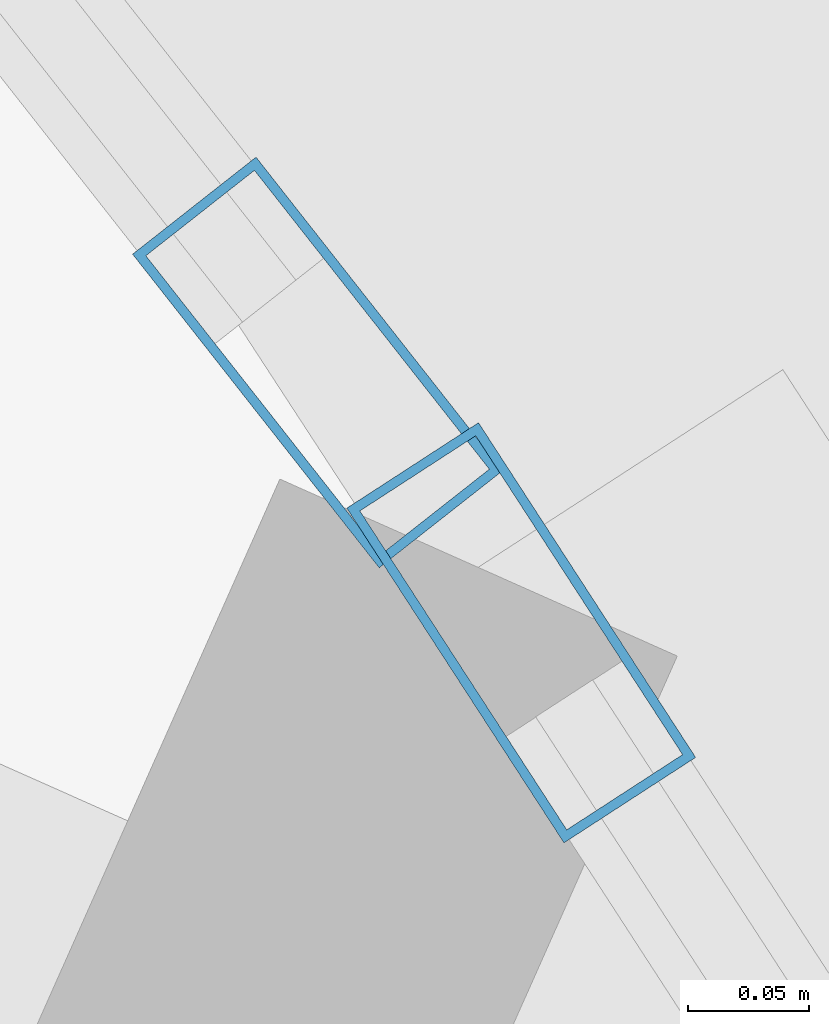
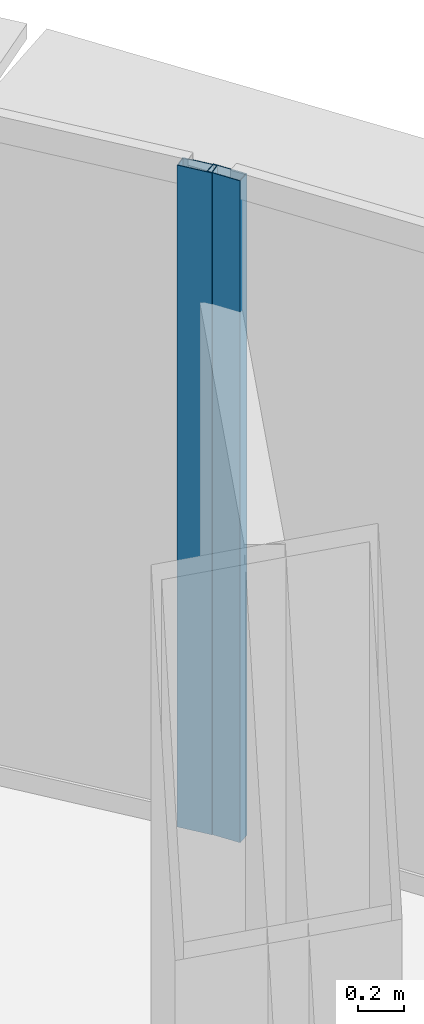
# One storey, part 18 of 37: 2 members, 2 elements without a shape of their own.
"""IFC4 building model written with IfcOpenShell, lengths in metres."""

from ifc_helpers import new_model, si_unit, direction, frame, origin, origin_2d, place, context, subcontext, project, spatial, hollow_rectangle, extrude, source, transform, mapped, material, layer, layer_set, material_profile, profile_set, type_object, element, aggregate, save


model = new_model("IFC4")

# Units and contexts
model_context = context("Model", 3, precision=1e-05, world=origin(), true_north=direction((0.0, 1.0)))
body_context = subcontext(model_context, "Body", "Model", "MODEL_VIEW")
ifc_project = project(units=[si_unit("LENGTHUNIT", "METRE"), si_unit("AREAUNIT", "SQUARE_METRE"), si_unit("VOLUMEUNIT", "CUBIC_METRE"), si_unit("PLANEANGLEUNIT", "RADIAN"), si_unit("MASSUNIT", "GRAM", prefix="KILO"), si_unit("THERMODYNAMICTEMPERATUREUNIT", "KELVIN"), si_unit("POWERUNIT", "WATT")], contexts=[model_context])

# Site, building, storey
site_placement = place(None, origin())
site = spatial("IfcSite", under=ifc_project, at=site_placement, CompositionType="ELEMENT")
building_placement = place(site_placement, origin())
building = spatial("IfcBuilding", under=site, at=building_placement, Name="Yunzhuo Pagoda Commons", CompositionType="ELEMENT")
storey_placement = place(building_placement, frame((0.0, 0.0, 88.780029296875)))
storey = spatial("IfcBuildingStorey", under=building, at=storey_placement, Name="L22", CompositionType="ELEMENT", Elevation=88.780029296875)

# Curtain wall, member
ifc_material = material(Name="Anodized aluminium 6063-T6", Category="aluminium")
ifc_layer = layer(ifc_material, 0.1650390625)
ifc_layer_set = layer_set([ifc_layer], Name="Anodized aluminium 6063-T6")
curtain_wall_type = type_object("IfcCurtainWallType", Name="CW-LOW Low-Zone Ribbon Curtain Wall", PredefinedType="NOTDEFINED", material=ifc_layer_set)
curtain_wall_1_placement = place(storey_placement, origin())
curtain_wall_1 = element("IfcCurtainWall", 1, at=curtain_wall_1_placement, inside=storey, type_object=curtain_wall_type, Name="L22 curtain wall CW-L22-F2B4", PredefinedType="NOTDEFINED")
ifc_material_profile = material_profile(ifc_material, hollow_rectangle(XDim=0.06494140625, YDim=0.1650390625, WallThickness=0.00390625, at=origin_2d()), Name="Anodized aluminium 6063-T6")
ifc_profile_set = profile_set([ifc_material_profile], Name="Anodized aluminium 6063-T6")
member_type = type_object("IfcMemberType", Name="CW-LOW-M Mullion RHS 165x65x4", PredefinedType="MULLION", material=ifc_profile_set)
shared_shape = source(origin(), body_context, "Body", "SweptSolid", [
    extrude(hollow_rectangle(XDim=0.06494140625, YDim=0.1650390625, WallThickness=0.00390625, at=origin_2d()), origin(), (0.0, 0.0, 1.0), 3.5400390625),
])
member_1_placement = place(storey_placement, frame((64.921630859375, 71.639892578125, 0.0), z_axis=(0.0, 0.0, 1.0), x_axis=(-0.838906636672, -0.544275348466, 0.0)))
member_1 = element("IfcMember", 2, at=member_1_placement, type_object=member_type, Name="CW mullion 2", PredefinedType="MULLION", context=body_context, shape_type="MappedRepresentation", body=[
    mapped(shared_shape, transform((0.0, 0.0, 0.0), scale=1.0)),
])
aggregate(curtain_wall_1, [member_1])

curtain_wall_2_placement = place(storey_placement, origin())
curtain_wall_2 = element("IfcCurtainWall", 3, at=curtain_wall_2_placement, inside=storey, type_object=curtain_wall_type, Name="L22 curtain wall CW-L22-F2B5", PredefinedType="NOTDEFINED")
member_2_placement = place(storey_placement, frame((64.83740234375, 71.751708984375, 0.0), z_axis=(0.0, 0.0, 1.0), x_axis=(-0.786130948635, -0.618059974111, 0.0)))
member_2 = element("IfcMember", 4, at=member_2_placement, type_object=member_type, Name="CW mullion 1", PredefinedType="MULLION", context=body_context, shape_type="MappedRepresentation", body=[
    mapped(shared_shape, transform((0.0, 0.0, 0.0), scale=1.0)),
])
aggregate(curtain_wall_2, [member_2])

save(model, "model.ifc")
